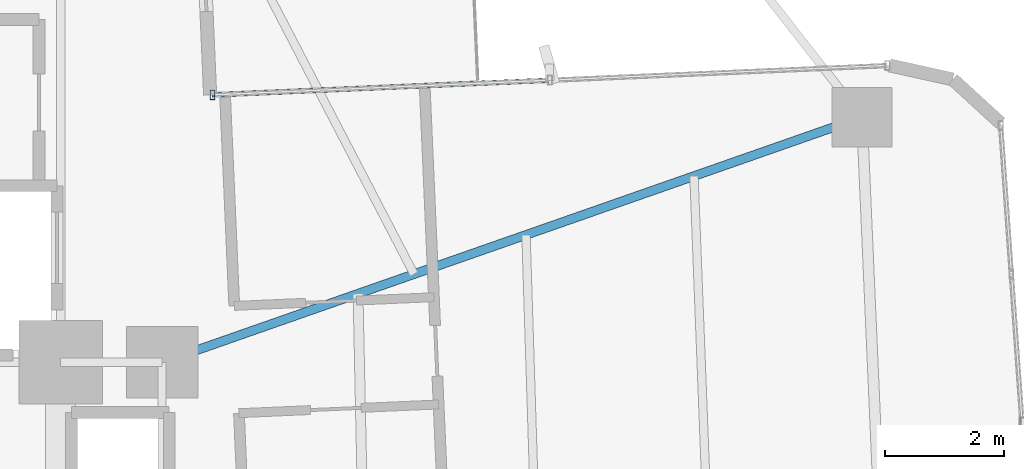
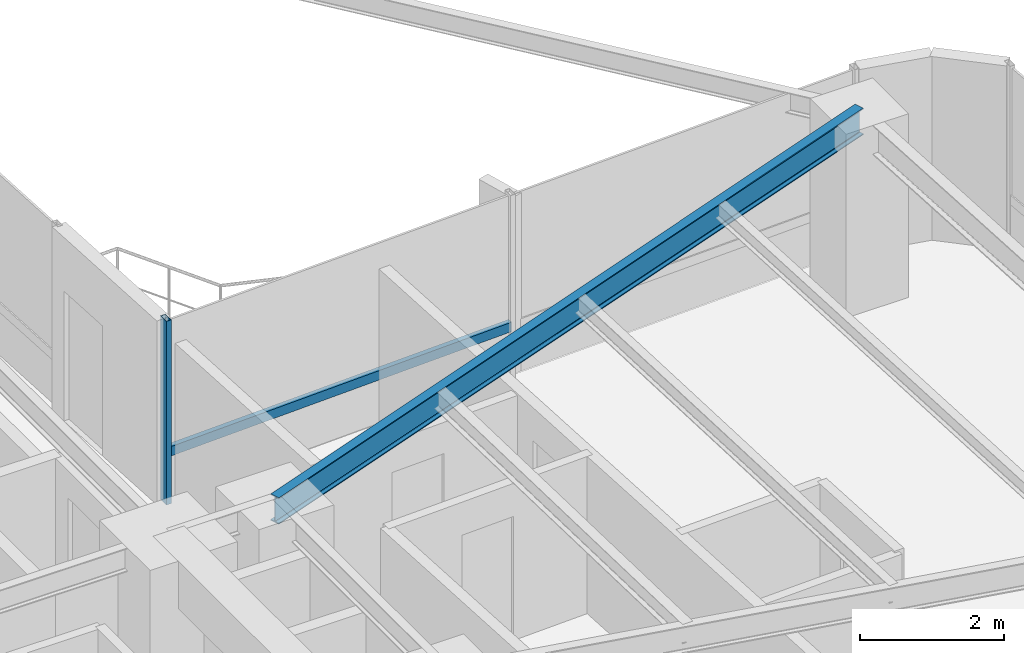
# One storey, part 13 of 26: 2 members, 1 beam, 1 element without a shape of its own.
"""IFC4 building model written with IfcOpenShell, lengths in metres."""

from ifc_helpers import new_model, si_unit, direction, frame, origin, origin_2d, place, context, subcontext, project, spatial, hollow_rectangle, i_section, extrude, source, transform, mapped, material, material_profile, profile_set, type_object, element, aggregate, save


model = new_model("IFC4")

# Units and contexts
model_context = context("Model", 3, precision=1e-05, world=origin(), true_north=direction((0.0, 1.0)))
body_context = subcontext(model_context, "Body", "Model", "MODEL_VIEW")
ifc_project = project(units=[si_unit("LENGTHUNIT", "METRE"), si_unit("AREAUNIT", "SQUARE_METRE"), si_unit("VOLUMEUNIT", "CUBIC_METRE"), si_unit("PLANEANGLEUNIT", "RADIAN"), si_unit("MASSUNIT", "GRAM", prefix="KILO")], contexts=[model_context])

# Site, building, storey
site_placement = place(None, origin())
site = spatial("IfcSite", under=ifc_project, at=site_placement, CompositionType="ELEMENT")
building_placement = place(site_placement, origin())
building = spatial("IfcBuilding", under=site, at=building_placement, Name="Sahyath Konkavel Grand Hotel", CompositionType="ELEMENT")
storey_placement = place(building_placement, frame((0.0, 0.0, 86.85009765625)))
storey = spatial("IfcBuildingStorey", under=building, at=storey_placement, Name="L23", CompositionType="ELEMENT", Elevation=86.85009765625)

# Beam
ifc_material_1 = material(Name="Steel E350", Category="steel")
ifc_material_profile_1 = material_profile(ifc_material_1, i_section(OverallWidth=0.14990234375, OverallDepth=0.449951171875, WebThickness=0.009521484375, FlangeThickness=0.017333984375, FilletRadius=0.014892578125, at=origin_2d()), Name="ISMB 450")
ifc_profile_set_1 = profile_set([ifc_material_profile_1], Name="Steel E350")
beam_type = type_object("IfcBeamType", Name="BM-ISMB450", PredefinedType="BEAM", material=ifc_profile_set_1)
shared_shape_1 = source(origin(), body_context, "Body", "SweptSolid", [
    extrude(i_section(OverallWidth=0.14990234375, OverallDepth=0.449951171875, WebThickness=0.009521484375, FlangeThickness=0.017333984375, FilletRadius=0.014892578125, at=origin_2d()), origin(), (0.0, 0.0, 1.0), 12.430908203125),
])
beam_placement = place(storey_placement, frame((5.5, 2.39990234375, 2.885009765625), z_axis=(0.943819157235, 0.330462400941, 0.0), x_axis=(-0.330462400941, 0.943819157235, 0.0)))
element("IfcBeam", 1, at=beam_placement, inside=storey, type_object=beam_type, Name="L23 Cruciform Radial Girder EB", PredefinedType="BEAM", context=body_context, shape_type="MappedRepresentation", body=[
    mapped(shared_shape_1, transform((0.0, 0.0, 0.0), scale=1.0)),
])

# Curtain wall, members
ifc_material_2 = material(Name="Anodised Bronze Aluminium & Low-E Glazing", Category="aluminium")
curtain_wall_type = type_object("IfcCurtainWallType", Name="CW-ZONE2", PredefinedType="NOTDEFINED", material=ifc_material_2)
curtain_wall_placement = place(storey_placement, origin())
curtain_wall = element("IfcCurtainWall", 2, at=curtain_wall_placement, inside=storey, type_object=curtain_wall_type, Name="L23 Unitised Curtain Wall F7", PredefinedType="NOTDEFINED")
ifc_material_3 = material(Name="Anodised Bronze Aluminium", Category="aluminium")
ifc_material_profile_2 = material_profile(ifc_material_3, hollow_rectangle(XDim=0.080078125, YDim=0.159912109375, WallThickness=0.006103515625, at=origin_2d()), Name="RHS 160x80x6")
ifc_profile_set_2 = profile_set([ifc_material_profile_2], Name="Anodised Bronze Aluminium")
member_type_1 = type_object("IfcMemberType", Name="CW-MUL-160", PredefinedType="MULLION", material=ifc_profile_set_2)
shared_shape_2 = source(origin(), body_context, "Body", "SweptSolid", [
    extrude(hollow_rectangle(XDim=0.080078125, YDim=0.159912109375, WallThickness=0.006103515625, at=origin_2d()), origin(), (0.0, 0.0, 1.0), 3.10986328125),
])
member_1_placement = place(storey_placement, frame((6.345703125, 6.88330078125, 0.0), z_axis=(0.0, 0.0, 1.0), x_axis=(1.0, 0.0, 0.0)))
member_1 = element("IfcMember", 3, at=member_1_placement, type_object=member_type_1, Name="L23 Curtain Wall Mullion F7-2", PredefinedType="MULLION", context=body_context, shape_type="MappedRepresentation", body=[
    mapped(shared_shape_2, transform((0.0, 0.0, 0.0), scale=1.0)),
])
ifc_material_profile_3 = material_profile(ifc_material_3, hollow_rectangle(XDim=0.080078125, YDim=0.159912109375, WallThickness=0.006103515625, at=origin_2d()), Name="RHS 160x80x6")
ifc_profile_set_3 = profile_set([ifc_material_profile_3], Name="Anodised Bronze Aluminium")
member_type_2 = type_object("IfcMemberType", Name="CW-TRN-160", PredefinedType="USERDEFINED", material=ifc_profile_set_3)
shared_shape_3 = source(origin(), body_context, "Body", "SweptSolid", [
    extrude(hollow_rectangle(XDim=0.080078125, YDim=0.159912109375, WallThickness=0.006103515625, at=origin_2d()), origin(), (0.0, 0.0, 1.0), 5.66015625),
])
member_2_placement = place(storey_placement, frame((12.00048828125, 7.13037109375, 0.849853515625), z_axis=(-0.9990468579, -0.043650609628, 0.0), x_axis=(0.043650609628, -0.9990468579, 0.0)))
member_2 = element("IfcMember", 4, at=member_2_placement, type_object=member_type_2, Name="L23 Curtain Wall Transom F7-1-spandrel", ObjectType="TRANSOM", PredefinedType="USERDEFINED", context=body_context, shape_type="MappedRepresentation", body=[
    mapped(shared_shape_3, transform((0.0, 0.0, 0.0), scale=1.0)),
])
aggregate(curtain_wall, [member_1, member_2])

save(model, "model.ifc")
